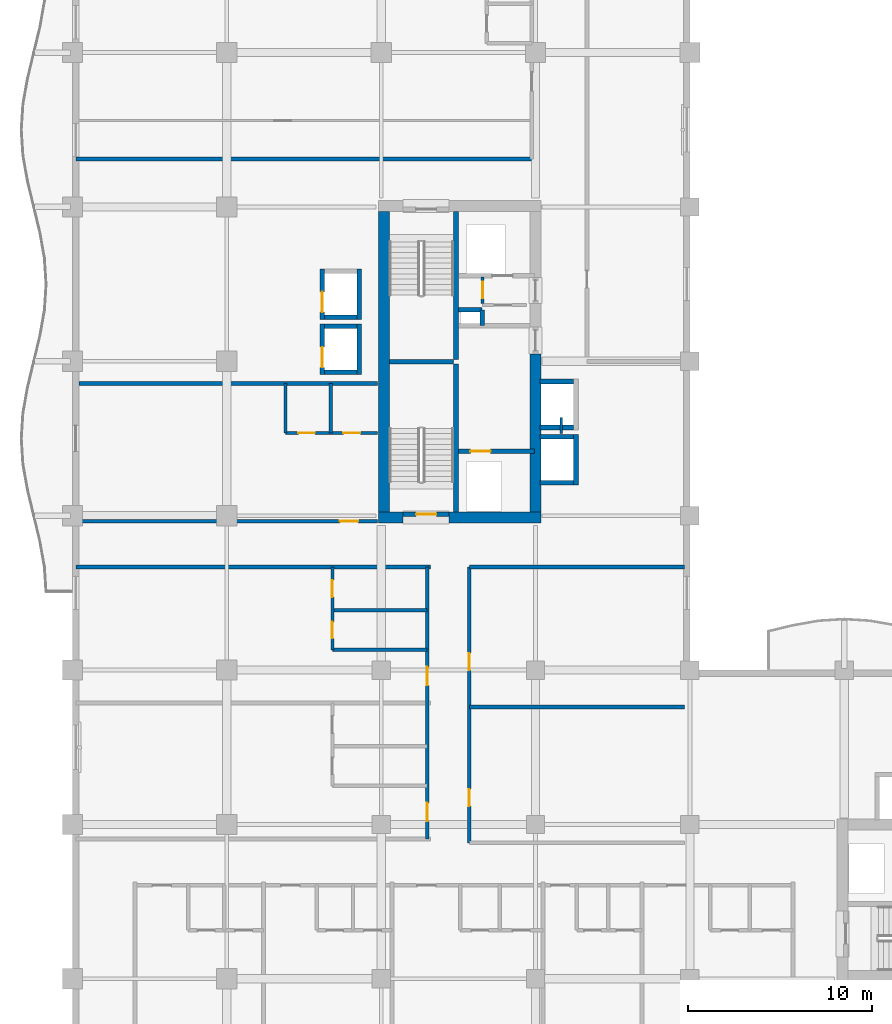
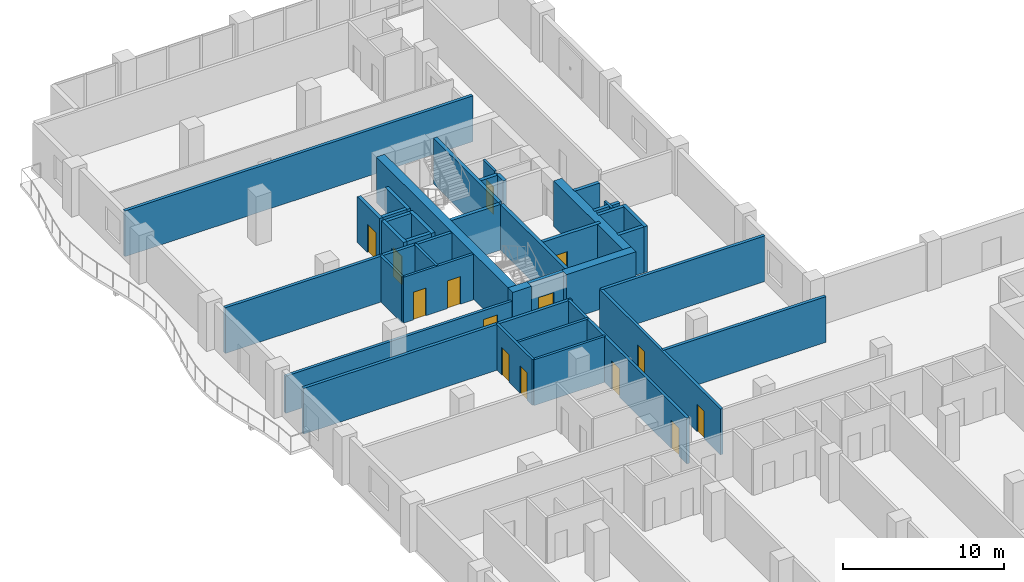
# One storey, part 10 of 19: 39 walls, 14 doors, 14 openings.
"""IFC4 building model written with IfcOpenShell, lengths in metres."""

from ifc_helpers import new_model, si_unit, direction, frame, frame_2d, origin, place, context, subcontext, project, spatial, rectangle, extrude, material, layer, layer_set, type_object, element, fill, save


model = new_model("IFC4")

# Units and contexts
model_context = context("Model", 3, precision=1e-05, world=origin(), true_north=direction((0.0, 1.0)))
body_context = subcontext(model_context, "Body", "Model", "MODEL_VIEW")
ifc_project = project(units=[si_unit("LENGTHUNIT", "METRE"), si_unit("AREAUNIT", "SQUARE_METRE"), si_unit("VOLUMEUNIT", "CUBIC_METRE"), si_unit("PLANEANGLEUNIT", "RADIAN"), si_unit("MASSUNIT", "GRAM", prefix="KILO")], contexts=[model_context])

# Site, building, storey
site_placement = place(None, origin())
site = spatial("IfcSite", under=ifc_project, at=site_placement, CompositionType="ELEMENT")
building_placement = place(site_placement, origin())
building = spatial("IfcBuilding", under=site, at=building_placement, Name="Koriwani Terraces Tower", CompositionType="ELEMENT")
storey_placement = place(building_placement, frame((0.0, 0.0, 190.199951171875)))
storey = spatial("IfcBuildingStorey", under=building, at=storey_placement, Name="L46", CompositionType="ELEMENT", Elevation=190.199951171875)

# Walls
ifc_material_1 = material(Name="Concrete C60/75", Category="concrete")
ifc_layer_1 = layer(ifc_material_1, 0.60009765625, Name="Concrete C60/75")
ifc_layer_set_1 = layer_set([ifc_layer_1], Name="Concrete C60/75")
wall_type_1 = type_object("IfcWallType", Name="WALL_CORE_RC_600", PredefinedType="SHEAR", material=ifc_layer_set_1)
wall_1_placement = place(storey_placement, frame((16.64990234375, 41.89990234375, 0.0), z_axis=(0.0, 0.0, 1.0), x_axis=(1.0, 0.0, 0.0)))
element("IfcWall", 1, at=wall_1_placement, inside=storey, type_object=wall_type_1, Name="L46 West Split Core Shear Wall S1", PredefinedType="SHEAR", context=body_context, shape_type="SweptSolid", body=[
    extrude(rectangle(XDim=1.35009765625, YDim=0.60009765625, at=frame_2d((0.675048828125, 0.0))), origin(), (0.0, 0.0, 1.0), 3.469970703125),
])
wall_2_placement = place(storey_placement, frame((20.5, 41.89990234375, 0.0), z_axis=(0.0, 0.0, 1.0), x_axis=(1.0, 0.0, 0.0)))
element("IfcWall", 2, at=wall_2_placement, inside=storey, type_object=wall_type_1, Name="L46 West Split Core Shear Wall S2", PredefinedType="SHEAR", context=body_context, shape_type="SweptSolid", body=[
    extrude(rectangle(XDim=5.0, YDim=0.60009765625, at=frame_2d((2.5, 0.0))), origin(), (0.0, 0.0, 1.0), 3.469970703125),
])
wall_3_placement = place(storey_placement, frame((16.949951171875, 42.199951171875, 0.0), z_axis=(0.0, 0.0, 1.0), x_axis=(0.0, 1.0, 0.0)))
element("IfcWall", 3, at=wall_3_placement, inside=storey, type_object=wall_type_1, Name="L46 West Split Core Shear Wall W1", PredefinedType="SHEAR", context=body_context, shape_type="SweptSolid", body=[
    extrude(rectangle(XDim=16.35009765625, YDim=0.60009765625, at=frame_2d((8.175048828125, 0.0))), origin(), (0.0, 0.0, 1.0), 3.469970703125),
])
wall_4_placement = place(storey_placement, frame((25.199951171875, 42.199951171875, 0.0), z_axis=(0.0, 0.0, 1.0), x_axis=(0.0, 1.0, 0.0)))
element("IfcWall", 4, at=wall_4_placement, inside=storey, type_object=wall_type_1, Name="L46 West Split Core Shear Wall E1", PredefinedType="SHEAR", context=body_context, shape_type="SweptSolid", body=[
    extrude(rectangle(XDim=8.60009765625, YDim=0.60009765625, at=frame_2d((4.300048828125, 0.0))), origin(), (0.0, 0.0, 1.0), 3.469970703125),
])

# Wall, opening, door
ifc_material_2 = material(Name="Autoclaved Cellular Concrete Blockwork", Category="masonry")
ifc_layer_2 = layer(ifc_material_2, 0.199951171875, Name="Autoclaved Cellular Concrete Blockwork")
ifc_layer_set_2 = layer_set([ifc_layer_2], Name="Autoclaved Cellular Concrete Blockwork")
wall_type_2 = type_object("IfcWallType", Name="WALL_CORRIDOR_200", PredefinedType="PARTITIONING", material=ifc_layer_set_2)
wall_5_placement = place(storey_placement, frame((0.35009765625, 41.699951171875, 0.0), z_axis=(0.0, 0.0, 1.0), x_axis=(1.0, 0.0, 0.0)))
wall_5 = element("IfcWall", 5, at=wall_5_placement, inside=storey, type_object=wall_type_2, Name="L46 Interior Wall WREC-WS-L46", PredefinedType="PARTITIONING", context=body_context, shape_type="SweptSolid", body=[
    extrude(rectangle(XDim=16.25, YDim=0.199951171875, at=frame_2d((8.125, 0.0))), origin(), (0.0, 0.0, 1.0), 2.820068359375),
])
opening_1_placement = place(wall_5_placement, frame((14.199951171875, 0.0, 0.0)))
opening_1 = element("IfcOpeningElement", 6, at=opening_1_placement, cuts=wall_5, Name="Opening D-05", PredefinedType="OPENING", context=body_context, shape_type="SweptSolid", body=[
    extrude(rectangle(XDim=1.0, YDim=2.14990234375, at=frame_2d((0.5, 1.074951171875))), frame((0.0, 0.10986328125, 0.0), z_axis=(0.0, -1.0, 0.0), x_axis=(1.0, 0.0, 0.0)), (0.0, 0.0, 1.0), 0.219970703125),
])
ifc_material_3 = material(Name="Architectural Oak Fire Door", Category="wood")
door_type_1 = type_object("IfcDoorType", Name="DOOR_SUITE_ENTRY_1000X2150", OperationType="NOTDEFINED", PredefinedType="DOOR", material=ifc_material_3)
door_1_placement = place(opening_1_placement, origin())
door_1 = element("IfcDoor", 7, at=door_1_placement, inside=storey, type_object=door_type_1, Name="L46 Reclaimed West Suite Door", OperationType="SINGLE_SWING_RIGHT", OverallHeight=2.14990234375, OverallWidth=1.0, PredefinedType="DOOR", context=body_context, shape_type="SweptSolid", body=[
    extrude(rectangle(XDim=1.0, YDim=2.14990234375, at=frame_2d((0.5, 1.074951171875))), frame((0.0, 0.02490234375, 0.0), z_axis=(0.0, -1.0, 0.0), x_axis=(1.0, 0.0, 0.0)), (0.0, 0.0, 1.0), 0.050048828125),
])
fill(opening_1, door_1)

# Wall, openings, doors
wall_6_placement = place(storey_placement, frame((21.60009765625, 24.199951171875, 0.0), z_axis=(0.0, 0.0, 1.0), x_axis=(0.0, 1.0, 0.0)))
wall_6 = element("IfcWall", 8, at=wall_6_placement, inside=storey, type_object=wall_type_2, Name="L46 Interior Wall WIC2-W-L46", PredefinedType="PARTITIONING", context=body_context, shape_type="SweptSolid", body=[
    extrude(rectangle(XDim=15.0, YDim=0.199951171875, at=frame_2d((7.5, 0.0))), origin(), (0.0, 0.0, 1.0), 3.469970703125),
])
opening_2_placement = place(wall_6_placement, frame((2.0, 0.0, 0.0)))
opening_2 = element("IfcOpeningElement", 9, at=opening_2_placement, cuts=wall_6, Name="Opening D-06", PredefinedType="OPENING", context=body_context, shape_type="SweptSolid", body=[
    extrude(rectangle(XDim=0.919921875, YDim=2.10009765625, at=frame_2d((0.4599609375, 1.050048828125))), frame((0.0, 0.10986328125, 0.0), z_axis=(0.0, -1.0, 0.0), x_axis=(1.0, 0.0, 0.0)), (0.0, 0.0, 1.0), 0.219970703125),
])
opening_3_placement = place(wall_6_placement, frame((9.39990234375, 0.0, 0.0)))
opening_3 = element("IfcOpeningElement", 10, at=opening_3_placement, cuts=wall_6, Name="Opening D-06", PredefinedType="OPENING", context=body_context, shape_type="SweptSolid", body=[
    extrude(rectangle(XDim=0.919921875, YDim=2.10009765625, at=frame_2d((0.4599609375, 1.050048828125))), frame((0.0, 0.10986328125, 0.0), z_axis=(0.0, -1.0, 0.0), x_axis=(1.0, 0.0, 0.0)), (0.0, 0.0, 1.0), 0.219970703125),
])
door_type_2 = type_object("IfcDoorType", Name="DOOR_ROOM_INT_920X2100", OperationType="NOTDEFINED", PredefinedType="DOOR", material=ifc_material_3)
door_2_placement = place(opening_2_placement, origin())
door_2 = element("IfcDoor", 11, at=door_2_placement, inside=storey, type_object=door_type_2, Name="L46 Inner Court Salon Door", OperationType="SINGLE_SWING_RIGHT", OverallHeight=2.10009765625, OverallWidth=0.919921875, PredefinedType="DOOR", context=body_context, shape_type="SweptSolid", body=[
    extrude(rectangle(XDim=0.919921875, YDim=2.10009765625, at=frame_2d((0.4599609375, 1.050048828125))), frame((0.0, 0.02490234375, 0.0), z_axis=(0.0, -1.0, 0.0), x_axis=(1.0, 0.0, 0.0)), (0.0, 0.0, 1.0), 0.050048828125),
])
fill(opening_2, door_2)
door_3_placement = place(opening_3_placement, origin())
door_3 = element("IfcDoor", 12, at=door_3_placement, inside=storey, type_object=door_type_2, Name="L46 Inner Court Media Room Door", OperationType="SINGLE_SWING_LEFT", OverallHeight=2.10009765625, OverallWidth=0.919921875, PredefinedType="DOOR", context=body_context, shape_type="SweptSolid", body=[
    extrude(rectangle(XDim=0.919921875, YDim=2.10009765625, at=frame_2d((0.4599609375, 1.050048828125))), frame((0.0, 0.02490234375, 0.0), z_axis=(0.0, -1.0, 0.0), x_axis=(1.0, 0.0, 0.0)), (0.0, 0.0, 1.0), 0.050048828125),
])
fill(opening_3, door_3)

wall_7_placement = place(storey_placement, frame((19.300048828125, 24.39990234375, 0.0), z_axis=(0.0, 0.0, 1.0), x_axis=(0.0, 1.0, 0.0)))
wall_7 = element("IfcWall", 13, at=wall_7_placement, inside=storey, type_object=wall_type_2, Name="L46 Interior Wall WRCOR-L46-NW-0", PredefinedType="PARTITIONING", context=body_context, shape_type="SweptSolid", body=[
    extrude(rectangle(XDim=14.800048828125, YDim=0.199951171875, at=frame_2d((7.39990234375, 0.0))), origin(), (0.0, 0.0, 1.0), 3.469970703125),
])
opening_4_placement = place(wall_7_placement, frame((0.969970703125, 0.0, 0.0)))
opening_4 = element("IfcOpeningElement", 14, at=opening_4_placement, cuts=wall_7, Name="Opening D-05", PredefinedType="OPENING", context=body_context, shape_type="SweptSolid", body=[
    extrude(rectangle(XDim=1.0, YDim=2.14990234375, at=frame_2d((0.5, 1.074951171875))), frame((0.0, 0.10986328125, 0.0), z_axis=(0.0, -1.0, 0.0), x_axis=(1.0, 0.0, 0.0)), (0.0, 0.0, 1.0), 0.219970703125),
])
opening_5_placement = place(wall_7_placement, frame((8.3701171875, 0.0, 0.0)))
opening_5 = element("IfcOpeningElement", 15, at=opening_5_placement, cuts=wall_7, Name="Opening D-05", PredefinedType="OPENING", context=body_context, shape_type="SweptSolid", body=[
    extrude(rectangle(XDim=1.0, YDim=2.14990234375, at=frame_2d((0.5, 1.074951171875))), frame((0.0, 0.10986328125, 0.0), z_axis=(0.0, -1.0, 0.0), x_axis=(1.0, 0.0, 0.0)), (0.0, 0.0, 1.0), 0.219970703125),
])
door_4_placement = place(opening_4_placement, origin())
door_4 = element("IfcDoor", 16, at=door_4_placement, inside=storey, type_object=door_type_1, Name="Apartment 46NW1 Entrance Door", OperationType="SINGLE_SWING_LEFT", OverallHeight=2.14990234375, OverallWidth=1.0, PredefinedType="DOOR", context=body_context, shape_type="SweptSolid", body=[
    extrude(rectangle(XDim=1.0, YDim=2.14990234375, at=frame_2d((0.5, 1.074951171875))), frame((0.0, 0.02490234375, 0.0), z_axis=(0.0, -1.0, 0.0), x_axis=(1.0, 0.0, 0.0)), (0.0, 0.0, 1.0), 0.050048828125),
])
fill(opening_4, door_4)
door_5_placement = place(opening_5_placement, origin())
door_5 = element("IfcDoor", 17, at=door_5_placement, inside=storey, type_object=door_type_1, Name="Apartment 46NW2 Entrance Door", OperationType="SINGLE_SWING_RIGHT", OverallHeight=2.14990234375, OverallWidth=1.0, PredefinedType="DOOR", context=body_context, shape_type="SweptSolid", body=[
    extrude(rectangle(XDim=1.0, YDim=2.14990234375, at=frame_2d((0.5, 1.074951171875))), frame((0.0, 0.02490234375, 0.0), z_axis=(0.0, -1.0, 0.0), x_axis=(1.0, 0.0, 0.0)), (0.0, 0.0, 1.0), 0.050048828125),
])
fill(opening_5, door_5)

# Walls
ifc_layer_3 = layer(ifc_material_2, 0.219970703125, Name="Autoclaved Cellular Concrete Blockwork")
ifc_layer_set_3 = layer_set([ifc_layer_3], Name="Autoclaved Cellular Concrete Blockwork")
wall_type_3 = type_object("IfcWallType", Name="WALL_DEMISING_220", PredefinedType="PARTITIONING", material=ifc_layer_set_3)
wall_8_placement = place(storey_placement, frame((0.35009765625, 49.199951171875, 0.0), z_axis=(0.0, 0.0, 1.0), x_axis=(1.0, 0.0, 0.0)))
element("IfcWall", 18, at=wall_8_placement, inside=storey, type_object=wall_type_3, Name="L46 Interior Wall WREC-WN-L46", PredefinedType="PARTITIONING", context=body_context, shape_type="SweptSolid", body=[
    extrude(rectangle(XDim=16.25, YDim=0.219970703125, at=frame_2d((8.125, 0.0))), origin(), (0.0, 0.0, 1.0), 3.469970703125),
])
for number, where, z_axis, x_axis, name in (
    (19, (21.60009765625, 31.60009765625, 0.0), (0.0, 0.0, 1.0), (1.0, 0.0, 0.0), "L46 Interior Wall WIC2-M-L46"),
    (20, (21.60009765625, 39.199951171875, 0.0), (0.0, 0.0, 1.0), (1.0, 0.0, 0.0), "L46 Interior Wall WIC2-N-L46"),
):
    element("IfcWall", number, at=place(storey_placement, frame(where, z_axis=z_axis, x_axis=x_axis)), inside=storey, type_object=wall_type_3, Name=name, PredefinedType="PARTITIONING", context=body_context, shape_type="SweptSolid", body=[
        extrude(rectangle(XDim=11.699951171875, YDim=0.219970703125, at=frame_2d((5.85009765625, 0.0))), origin(), (0.0, 0.0, 1.0), 3.469970703125),
    ])
wall_9_placement = place(storey_placement, frame((0.199951171875, 39.199951171875, 0.0), z_axis=(0.0, 0.0, 1.0), x_axis=(1.0, 0.0, 0.0)))
element("IfcWall", 21, at=wall_9_placement, inside=storey, type_object=wall_type_3, Name="L46 Interior Wall WRDEME-L46-NW", PredefinedType="PARTITIONING", context=body_context, shape_type="SweptSolid", body=[
    extrude(rectangle(XDim=19.280029296875, YDim=0.219970703125, at=frame_2d((9.64013671875, 0.0))), origin(), (0.0, 0.0, 1.0), 3.469970703125),
])
wall_10_placement = place(storey_placement, frame((0.199951171875, 61.39990234375, 0.0), z_axis=(0.0, 0.0, 1.0), x_axis=(1.0, 0.0, 0.0)))
element("IfcWall", 22, at=wall_10_placement, inside=storey, type_object=wall_type_3, Name="L46 Interior Wall WRDEM-L46-NE-0", PredefinedType="PARTITIONING", context=body_context, shape_type="SweptSolid", body=[
    extrude(rectangle(XDim=24.97998046875, YDim=0.219970703125, at=frame_2d((12.489990234375, 0.0))), origin(), (0.0, 0.0, 1.0), 3.469970703125),
])

# Wall, openings, doors
ifc_material_4 = material(Name="Fire-Rated Acoustic Gypsum Partition", Category="masonry")
ifc_layer_4 = layer(ifc_material_4, 0.179931640625, Name="Fire-Rated Acoustic Gypsum Partition")
ifc_layer_set_4 = layer_set([ifc_layer_4], Name="Fire-Rated Acoustic Gypsum Partition")
wall_type_4 = type_object("IfcWallType", Name="WALL_PLUMBING_180", PredefinedType="PLUMBINGWALL", material=ifc_layer_set_4)
wall_11_placement = place(storey_placement, frame((11.60009765625, 46.5, 0.0), z_axis=(0.0, 0.0, 1.0), x_axis=(1.0, 0.0, 0.0)))
wall_11 = element("IfcWall", 23, at=wall_11_placement, inside=storey, type_object=wall_type_4, Name="L46 Interior Wall WREC-WBB-L46", PredefinedType="PLUMBINGWALL", context=body_context, shape_type="SweptSolid", body=[
    extrude(rectangle(XDim=5.0, YDim=0.179931640625, at=frame_2d((2.5, 0.0))), origin(), (0.0, 0.0, 1.0), 3.469970703125),
])
opening_6_placement = place(wall_11_placement, frame((0.699951171875, 0.0, 0.0)))
opening_6 = element("IfcOpeningElement", 24, at=opening_6_placement, cuts=wall_11, Name="Opening D-07", PredefinedType="OPENING", context=body_context, shape_type="SweptSolid", body=[
    extrude(rectangle(XDim=0.89990234375, YDim=2.10009765625, at=frame_2d((0.449951171875, 1.050048828125))), frame((0.0, 0.10009765625, 0.0), z_axis=(0.0, -1.0, 0.0), x_axis=(1.0, 0.0, 0.0)), (0.0, 0.0, 1.0), 0.199951171875),
])
opening_7_placement = place(wall_11_placement, frame((3.14990234375, 0.0, 0.0)))
opening_7 = element("IfcOpeningElement", 25, at=opening_7_placement, cuts=wall_11, Name="Opening D-06", PredefinedType="OPENING", context=body_context, shape_type="SweptSolid", body=[
    extrude(rectangle(XDim=0.919921875, YDim=2.10009765625, at=frame_2d((0.4599609375, 1.050048828125))), frame((0.0, 0.10009765625, 0.0), z_axis=(0.0, -1.0, 0.0), x_axis=(1.0, 0.0, 0.0)), (0.0, 0.0, 1.0), 0.199951171875),
])
door_type_3 = type_object("IfcDoorType", Name="DOOR_BATH_INT_900X2100", OperationType="NOTDEFINED", PredefinedType="DOOR", material=ifc_material_3)
door_6_placement = place(opening_6_placement, origin())
door_6 = element("IfcDoor", 26, at=door_6_placement, inside=storey, type_object=door_type_3, Name="Apartment 46RW Bathroom Door", OperationType="SINGLE_SWING_LEFT", OverallHeight=2.10009765625, OverallWidth=0.89990234375, PredefinedType="DOOR", context=body_context, shape_type="SweptSolid", body=[
    extrude(rectangle(XDim=0.89990234375, YDim=2.10009765625, at=frame_2d((0.449951171875, 1.050048828125))), frame((0.0, 0.02490234375, 0.0), z_axis=(0.0, -1.0, 0.0), x_axis=(1.0, 0.0, 0.0)), (0.0, 0.0, 1.0), 0.050048828125),
])
fill(opening_6, door_6)
door_7_placement = place(opening_7_placement, origin())
door_7 = element("IfcDoor", 27, at=door_7_placement, inside=storey, type_object=door_type_2, Name="Apartment 46RW Kitchen Door", OperationType="SINGLE_SWING_RIGHT", OverallHeight=2.10009765625, OverallWidth=0.919921875, PredefinedType="DOOR", context=body_context, shape_type="SweptSolid", body=[
    extrude(rectangle(XDim=0.919921875, YDim=2.10009765625, at=frame_2d((0.4599609375, 1.050048828125))), frame((0.0, 0.02490234375, 0.0), z_axis=(0.0, -1.0, 0.0), x_axis=(1.0, 0.0, 0.0)), (0.0, 0.0, 1.0), 0.050048828125),
])
fill(opening_7, door_7)

# Walls
for number, where, z_axis, x_axis, name in (
    (28, (11.60009765625, 46.5, 0.0), (0.0, 0.0, 1.0), (0.0, 1.0, 0.0), "L46 Interior Wall WREC-WB2-L46"),
    (29, (14.050048828125, 46.5, 0.0), (0.0, 0.0, 1.0), (0.0, 1.0, 0.0), "L46 Interior Wall WREC-WB3-L46"),
):
    element("IfcWall", number, at=place(storey_placement, frame(where, z_axis=z_axis, x_axis=x_axis)), inside=storey, type_object=wall_type_4, Name=name, PredefinedType="PLUMBINGWALL", context=body_context, shape_type="SweptSolid", body=[
        extrude(rectangle(XDim=2.699951171875, YDim=0.179931640625, at=frame_2d((1.35009765625, 0.0))), origin(), (0.0, 0.0, 1.0), 3.469970703125),
    ])

# Wall, openings, doors
wall_12_placement = place(storey_placement, frame((14.14990234375, 34.699951171875, 0.0), z_axis=(0.0, 0.0, 1.0), x_axis=(0.0, 1.0, 0.0)))
wall_12 = element("IfcWall", 30, at=wall_12_placement, inside=storey, type_object=wall_type_4, Name="L46 Interior Wall WRSVC-L46-NW-1", PredefinedType="PLUMBINGWALL", context=body_context, shape_type="SweptSolid", body=[
    extrude(rectangle(XDim=4.5, YDim=0.179931640625, at=frame_2d((2.25, 0.0))), origin(), (0.0, 0.0, 1.0), 3.469970703125),
])
opening_8_placement = place(wall_12_placement, frame((0.6298828125, 0.0, 0.0)))
opening_8 = element("IfcOpeningElement", 31, at=opening_8_placement, cuts=wall_12, Name="Opening D-07", PredefinedType="OPENING", context=body_context, shape_type="SweptSolid", body=[
    extrude(rectangle(XDim=0.89990234375, YDim=2.10009765625, at=frame_2d((0.449951171875, 1.050048828125))), frame((0.0, 0.10009765625, 0.0), z_axis=(0.0, -1.0, 0.0), x_axis=(1.0, 0.0, 0.0)), (0.0, 0.0, 1.0), 0.199951171875),
])
opening_9_placement = place(wall_12_placement, frame((2.8701171875, 0.0, 0.0)))
opening_9 = element("IfcOpeningElement", 32, at=opening_9_placement, cuts=wall_12, Name="Opening D-06", PredefinedType="OPENING", context=body_context, shape_type="SweptSolid", body=[
    extrude(rectangle(XDim=0.919921875, YDim=2.10009765625, at=frame_2d((0.4599609375, 1.050048828125))), frame((0.0, 0.10009765625, 0.0), z_axis=(0.0, -1.0, 0.0), x_axis=(1.0, 0.0, 0.0)), (0.0, 0.0, 1.0), 0.199951171875),
])
door_8_placement = place(opening_8_placement, origin())
door_8 = element("IfcDoor", 33, at=door_8_placement, inside=storey, type_object=door_type_3, Name="Apartment 46NW2 Bathroom Door", OperationType="SINGLE_SWING_LEFT", OverallHeight=2.10009765625, OverallWidth=0.89990234375, PredefinedType="DOOR", context=body_context, shape_type="SweptSolid", body=[
    extrude(rectangle(XDim=0.89990234375, YDim=2.10009765625, at=frame_2d((0.449951171875, 1.050048828125))), frame((0.0, 0.02490234375, 0.0), z_axis=(0.0, -1.0, 0.0), x_axis=(1.0, 0.0, 0.0)), (0.0, 0.0, 1.0), 0.050048828125),
])
fill(opening_8, door_8)
door_9_placement = place(opening_9_placement, origin())
door_9 = element("IfcDoor", 34, at=door_9_placement, inside=storey, type_object=door_type_2, Name="Apartment 46NW2 Kitchen Door", OperationType="SINGLE_SWING_RIGHT", OverallHeight=2.10009765625, OverallWidth=0.919921875, PredefinedType="DOOR", context=body_context, shape_type="SweptSolid", body=[
    extrude(rectangle(XDim=0.919921875, YDim=2.10009765625, at=frame_2d((0.4599609375, 1.050048828125))), frame((0.0, 0.02490234375, 0.0), z_axis=(0.0, -1.0, 0.0), x_axis=(1.0, 0.0, 0.0)), (0.0, 0.0, 1.0), 0.050048828125),
])
fill(opening_9, door_9)

# Walls
for number, where, z_axis, x_axis, name in (
    (35, (14.14990234375, 34.699951171875, 0.0), (0.0, 0.0, 1.0), (1.0, 0.0, 0.0), "L46 Interior Wall WRSVCS-L46-NW-1"),
    (36, (14.14990234375, 36.860107421875, 0.0), (0.0, 0.0, 1.0), (1.0, 0.0, 0.0), "L46 Interior Wall WRSVCM-L46-NW-1"),
):
    element("IfcWall", number, at=place(storey_placement, frame(where, z_axis=z_axis, x_axis=x_axis)), inside=storey, type_object=wall_type_4, Name=name, PredefinedType="PLUMBINGWALL", context=body_context, shape_type="SweptSolid", body=[
        extrude(rectangle(XDim=5.150146484375, YDim=0.179931640625, at=frame_2d((2.5751953125, 0.0))), origin(), (0.0, 0.0, 1.0), 3.469970703125),
    ])
ifc_material_5 = material(Name="Concrete C40/50", Category="concrete")
ifc_layer_5 = layer(ifc_material_5, 0.25, Name="Concrete C40/50")
ifc_layer_set_5 = layer_set([ifc_layer_5], Name="Concrete C40/50")
wall_type_5 = type_object("IfcWallType", Name="WALL_SHAFT_RATED_250", PredefinedType="SOLIDWALL", material=ifc_layer_set_5)
for number, where, z_axis, x_axis, name in (
    (37, (20.875, 42.199951171875, 0.0), (0.0, 0.0, 1.0), (0.0, 1.0, 0.0), "L46 West Split Core Web Wall MID1"),
    (38, (20.875, 50.5, 0.0), (0.0, 0.0, 1.0), (0.0, 1.0, 0.0), "L46 West Split Core Web Wall MID2"),
):
    element("IfcWall", number, at=place(storey_placement, frame(where, z_axis=z_axis, x_axis=x_axis)), inside=storey, type_object=wall_type_5, Name=name, PredefinedType="SOLIDWALL", context=body_context, shape_type="SweptSolid", body=[
        extrude(rectangle(XDim=8.050048828125, YDim=0.25, at=frame_2d((4.02490234375, 0.0))), origin(), (0.0, 0.0, 1.0), 3.469970703125),
    ])
wall_13_placement = place(storey_placement, frame((17.25, 50.375, 0.0), z_axis=(0.0, 0.0, 1.0), x_axis=(1.0, 0.0, 0.0)))
element("IfcWall", 39, at=wall_13_placement, inside=storey, type_object=wall_type_5, Name="L46 West Split Core Stair Dividing Wall", PredefinedType="SOLIDWALL", context=body_context, shape_type="SweptSolid", body=[
    extrude(rectangle(XDim=3.5, YDim=0.25, at=frame_2d((1.75, 0.0))), origin(), (0.0, 0.0, 1.0), 3.469970703125),
])

# Wall, opening, door
wall_14_placement = place(storey_placement, frame((18.0, 42.074951171875, 0.0), z_axis=(0.0, 0.0, 1.0), x_axis=(1.0, 0.0, 0.0)))
wall_14 = element("IfcWall", 40, at=wall_14_placement, inside=storey, type_object=wall_type_5, Name="L46 Interior Wall WIN-CW-L46-STS", PredefinedType="SOLIDWALL", context=body_context, shape_type="SweptSolid", body=[
    extrude(rectangle(XDim=2.5, YDim=0.25, at=frame_2d((1.25, 0.0))), origin(), (0.0, 0.0, 1.0), 3.469970703125),
])
opening_10_placement = place(wall_14_placement, frame((0.699951171875, 0.0, 0.0)))
opening_10 = element("IfcOpeningElement", 41, at=opening_10_placement, cuts=wall_14, Name="Opening D-03", PredefinedType="OPENING", context=body_context, shape_type="SweptSolid", body=[
    extrude(rectangle(XDim=1.10009765625, YDim=2.14990234375, at=frame_2d((0.550048828125, 1.074951171875))), frame((0.0, 0.135009765625, 0.0), z_axis=(0.0, -1.0, 0.0), x_axis=(1.0, 0.0, 0.0)), (0.0, 0.0, 1.0), 0.27001953125),
])
ifc_material_6 = material(Name="Steel ASTM A572 Grade 50", Category="steel")
door_type_4 = type_object("IfcDoorType", Name="DOOR_STAIR_FIRE_1100X2150", OperationType="NOTDEFINED", PredefinedType="DOOR", material=ifc_material_6)
door_10_placement = place(opening_10_placement, origin())
door_10 = element("IfcDoor", 42, at=door_10_placement, inside=storey, type_object=door_type_4, Name="L46 Exit Stair ST-W1 Door", OperationType="SINGLE_SWING_RIGHT", OverallHeight=2.14990234375, OverallWidth=1.10009765625, PredefinedType="DOOR", context=body_context, shape_type="SweptSolid", body=[
    extrude(rectangle(XDim=1.10009765625, YDim=2.14990234375, at=frame_2d((0.550048828125, 1.074951171875))), frame((0.0, 0.02490234375, 0.0), z_axis=(0.0, -1.0, 0.0), x_axis=(1.0, 0.0, 0.0)), (0.0, 0.0, 1.0), 0.050048828125),
])
fill(opening_10, door_10)

wall_15_placement = place(storey_placement, frame((21.0, 45.5, 0.0), z_axis=(0.0, 0.0, 1.0), x_axis=(1.0, 0.0, 0.0)))
wall_15 = element("IfcWall", 43, at=wall_15_placement, inside=storey, type_object=wall_type_5, Name="L46 Interior Wall WIN-CW-L46-FE", PredefinedType="SOLIDWALL", context=body_context, shape_type="SweptSolid", body=[
    extrude(rectangle(XDim=4.14990234375, YDim=0.25, at=frame_2d((2.074951171875, 0.0))), origin(), (0.0, 0.0, 1.0), 3.469970703125),
])
opening_11_placement = place(wall_15_placement, frame((0.64990234375, 0.0, 0.0)))
opening_11 = element("IfcOpeningElement", 44, at=opening_11_placement, cuts=wall_15, Name="Opening LD-01", PredefinedType="OPENING", context=body_context, shape_type="SweptSolid", body=[
    extrude(rectangle(XDim=1.10009765625, YDim=2.14990234375, at=frame_2d((0.550048828125, 1.074951171875))), frame((0.0, 0.135009765625, 0.0), z_axis=(0.0, -1.0, 0.0), x_axis=(1.0, 0.0, 0.0)), (0.0, 0.0, 1.0), 0.27001953125),
])
door_type_5 = type_object("IfcDoorType", Name="DOOR_LIFT_LANDING_1100X2200", OperationType="NOTDEFINED", PredefinedType="DOOR", material=ifc_material_6)
door_11_placement = place(opening_11_placement, origin())
door_11 = element("IfcDoor", 45, at=door_11_placement, inside=storey, type_object=door_type_5, Name="L46 Firefighting Lift FE-01 Landing Door", OperationType="SLIDING_TO_LEFT", OverallHeight=2.14990234375, OverallWidth=1.10009765625, PredefinedType="DOOR", context=body_context, shape_type="SweptSolid", body=[
    extrude(rectangle(XDim=1.10009765625, YDim=2.14990234375, at=frame_2d((0.550048828125, 1.074951171875))), frame((0.0, 0.02490234375, 0.0), z_axis=(0.0, -1.0, 0.0), x_axis=(1.0, 0.0, 0.0)), (0.0, 0.0, 1.0), 0.050048828125),
])
fill(opening_11, door_11)

# Walls
wall_16_placement = place(storey_placement, frame((21.0, 53.199951171875, 0.0), z_axis=(0.0, 0.0, 1.0), x_axis=(1.0, 0.0, 0.0)))
element("IfcWall", 46, at=wall_16_placement, inside=storey, type_object=wall_type_5, Name="L46 Interior Wall WIN-CW-L46-RS1", PredefinedType="SOLIDWALL", context=body_context, shape_type="SweptSolid", body=[
    extrude(rectangle(XDim=1.300048828125, YDim=0.25, at=frame_2d((0.64990234375, 0.0))), origin(), (0.0, 0.0, 1.0), 3.469970703125),
])
wall_17_placement = place(storey_placement, frame((22.300048828125, 52.360107421875, 0.0), z_axis=(0.0, 0.0, 1.0), x_axis=(0.0, 1.0, 0.0)))
element("IfcWall", 47, at=wall_17_placement, inside=storey, type_object=wall_type_5, Name="L46 Interior Wall WIN-CW-L46-RS2", PredefinedType="SOLIDWALL", context=body_context, shape_type="SweptSolid", body=[
    extrude(rectangle(XDim=0.83984375, YDim=0.25, at=frame_2d((0.419921875, 0.0))), origin(), (0.0, 0.0, 1.0), 3.469970703125),
])

# Wall, opening, door
wall_18_placement = place(storey_placement, frame((13.60009765625, 49.675048828125, 0.0), z_axis=(0.0, 0.0, 1.0), x_axis=(0.0, 1.0, 0.0)))
wall_18 = element("IfcWall", 48, at=wall_18_placement, inside=storey, type_object=wall_type_5, Name="L46 Interior Wall WIN-LF-PE-M1-L46-F", PredefinedType="SOLIDWALL", context=body_context, shape_type="SweptSolid", body=[
    extrude(rectangle(XDim=2.75, YDim=0.25, at=frame_2d((1.375, 0.0))), origin(), (0.0, 0.0, 1.0), 3.469970703125),
])
opening_12_placement = place(wall_18_placement, frame((0.39990234375, 0.0, 0.0)))
opening_12 = element("IfcOpeningElement", 49, at=opening_12_placement, cuts=wall_18, Name="Opening LD-01", PredefinedType="OPENING", context=body_context, shape_type="SweptSolid", body=[
    extrude(rectangle(XDim=1.10009765625, YDim=2.14990234375, at=frame_2d((0.550048828125, 1.074951171875))), frame((0.0, 0.135009765625, 0.0), z_axis=(0.0, -1.0, 0.0), x_axis=(1.0, 0.0, 0.0)), (0.0, 0.0, 1.0), 0.27001953125),
])
door_12_placement = place(opening_12_placement, origin())
door_12 = element("IfcDoor", 50, at=door_12_placement, inside=storey, type_object=door_type_5, Name="L46 Passenger Lift PE-M1 Landing Door", OperationType="SLIDING_TO_LEFT", OverallHeight=2.14990234375, OverallWidth=1.10009765625, PredefinedType="DOOR", context=body_context, shape_type="SweptSolid", body=[
    extrude(rectangle(XDim=1.10009765625, YDim=2.14990234375, at=frame_2d((0.550048828125, 1.074951171875))), frame((0.0, 0.02490234375, 0.0), z_axis=(0.0, -1.0, 0.0), x_axis=(1.0, 0.0, 0.0)), (0.0, 0.0, 1.0), 0.050048828125),
])
fill(opening_12, door_12)

# Walls
wall_19_placement = place(storey_placement, frame((15.60009765625, 49.675048828125, 0.0), z_axis=(0.0, 0.0, 1.0), x_axis=(0.0, 1.0, 0.0)))
element("IfcWall", 51, at=wall_19_placement, inside=storey, type_object=wall_type_5, Name="L46 Interior Wall WIN-LF-PE-M1-L46-B", PredefinedType="SOLIDWALL", context=body_context, shape_type="SweptSolid", body=[
    extrude(rectangle(XDim=2.75, YDim=0.25, at=frame_2d((1.375, 0.0))), origin(), (0.0, 0.0, 1.0), 3.469970703125),
])
for number, where, z_axis, x_axis, name in (
    (52, (13.72509765625, 49.800048828125, 0.0), (0.0, 0.0, 1.0), (1.0, 0.0, 0.0), "L46 Interior Wall WIN-LF-PE-M1-L46-S"),
    (53, (13.72509765625, 52.300048828125, 0.0), (0.0, 0.0, 1.0), (1.0, 0.0, 0.0), "L46 Interior Wall WIN-LF-PE-M1-L46-N"),
):
    element("IfcWall", number, at=place(storey_placement, frame(where, z_axis=z_axis, x_axis=x_axis)), inside=storey, type_object=wall_type_5, Name=name, PredefinedType="SOLIDWALL", context=body_context, shape_type="SweptSolid", body=[
        extrude(rectangle(XDim=1.75, YDim=0.25, at=frame_2d((0.875, 0.0))), origin(), (0.0, 0.0, 1.0), 3.469970703125),
    ])

# Wall, opening, door
wall_20_placement = place(storey_placement, frame((13.60009765625, 52.675048828125, 0.0), z_axis=(0.0, 0.0, 1.0), x_axis=(0.0, 1.0, 0.0)))
wall_20 = element("IfcWall", 54, at=wall_20_placement, inside=storey, type_object=wall_type_5, Name="L46 Interior Wall WIN-LF-PE-M2-L46-F", PredefinedType="SOLIDWALL", context=body_context, shape_type="SweptSolid", body=[
    extrude(rectangle(XDim=2.75, YDim=0.25, at=frame_2d((1.375, 0.0))), origin(), (0.0, 0.0, 1.0), 3.469970703125),
])
opening_13_placement = place(wall_20_placement, frame((0.39990234375, 0.0, 0.0)))
opening_13 = element("IfcOpeningElement", 55, at=opening_13_placement, cuts=wall_20, Name="Opening LD-01", PredefinedType="OPENING", context=body_context, shape_type="SweptSolid", body=[
    extrude(rectangle(XDim=1.10009765625, YDim=2.14990234375, at=frame_2d((0.550048828125, 1.074951171875))), frame((0.0, 0.135009765625, 0.0), z_axis=(0.0, -1.0, 0.0), x_axis=(1.0, 0.0, 0.0)), (0.0, 0.0, 1.0), 0.27001953125),
])
door_13_placement = place(opening_13_placement, origin())
door_13 = element("IfcDoor", 56, at=door_13_placement, inside=storey, type_object=door_type_5, Name="L46 Passenger Lift PE-M2 Landing Door", OperationType="SLIDING_TO_LEFT", OverallHeight=2.14990234375, OverallWidth=1.10009765625, PredefinedType="DOOR", context=body_context, shape_type="SweptSolid", body=[
    extrude(rectangle(XDim=1.10009765625, YDim=2.14990234375, at=frame_2d((0.550048828125, 1.074951171875))), frame((0.0, 0.02490234375, 0.0), z_axis=(0.0, -1.0, 0.0), x_axis=(1.0, 0.0, 0.0)), (0.0, 0.0, 1.0), 0.050048828125),
])
fill(opening_13, door_13)

# Walls
wall_21_placement = place(storey_placement, frame((15.60009765625, 52.675048828125, 0.0), z_axis=(0.0, 0.0, 1.0), x_axis=(0.0, 1.0, 0.0)))
element("IfcWall", 57, at=wall_21_placement, inside=storey, type_object=wall_type_5, Name="L46 Interior Wall WIN-LF-PE-M2-L46-B", PredefinedType="SOLIDWALL", context=body_context, shape_type="SweptSolid", body=[
    extrude(rectangle(XDim=2.75, YDim=0.25, at=frame_2d((1.375, 0.0))), origin(), (0.0, 0.0, 1.0), 3.469970703125),
])
wall_22_placement = place(storey_placement, frame((13.72509765625, 52.800048828125, 0.0), z_axis=(0.0, 0.0, 1.0), x_axis=(1.0, 0.0, 0.0)))
element("IfcWall", 58, at=wall_22_placement, inside=storey, type_object=wall_type_5, Name="L46 Interior Wall WIN-LF-PE-M2-L46-S", PredefinedType="SOLIDWALL", context=body_context, shape_type="SweptSolid", body=[
    extrude(rectangle(XDim=1.75, YDim=0.25, at=frame_2d((0.875, 0.0))), origin(), (0.0, 0.0, 1.0), 3.469970703125),
])
wall_23_placement = place(storey_placement, frame((27.39990234375, 43.675048828125, 0.0), z_axis=(0.0, 0.0, 1.0), x_axis=(0.0, 1.0, 0.0)))
element("IfcWall", 59, at=wall_23_placement, inside=storey, type_object=wall_type_5, Name="L46 Interior Wall WIN-LF-PE-H1-L46-F", PredefinedType="SOLIDWALL", context=body_context, shape_type="SweptSolid", body=[
    extrude(rectangle(XDim=2.75, YDim=0.25, at=frame_2d((1.375, 0.0))), origin(), (0.0, 0.0, 1.0), 3.469970703125),
])
for number, where, z_axis, x_axis, name in (
    (60, (25.449951171875, 43.800048828125, 0.0), (0.0, 0.0, 1.0), (1.0, 0.0, 0.0), "L46 Interior Wall WIN-LF-PE-H1-L46-S"),
    (61, (25.449951171875, 46.300048828125, 0.0), (0.0, 0.0, 1.0), (1.0, 0.0, 0.0), "L46 Interior Wall WIN-LF-PE-H1-L46-N"),
    (62, (25.449951171875, 46.800048828125, 0.0), (0.0, 0.0, 1.0), (1.0, 0.0, 0.0), "L46 Interior Wall WIN-LF-PE-H2-L46-S"),
    (63, (25.449951171875, 49.300048828125, 0.0), (0.0, 0.0, 1.0), (1.0, 0.0, 0.0), "L46 Interior Wall WIN-LF-PE-H2-L46-N"),
):
    element("IfcWall", number, at=place(storey_placement, frame(where, z_axis=z_axis, x_axis=x_axis)), inside=storey, type_object=wall_type_5, Name=name, PredefinedType="SOLIDWALL", context=body_context, shape_type="SweptSolid", body=[
        extrude(rectangle(XDim=1.824951171875, YDim=0.25, at=frame_2d((0.91259765625, 0.0))), origin(), (0.0, 0.0, 1.0), 3.469970703125),
    ])

# Wall, opening, door
ifc_layer_6 = layer(ifc_material_4, 0.159912109375, Name="Fire-Rated Acoustic Gypsum Partition")
ifc_layer_set_6 = layer_set([ifc_layer_6], Name="Fire-Rated Acoustic Gypsum Partition")
wall_type_6 = type_object("IfcWallType", Name="WALL_SUITE_160", PredefinedType="PARTITIONING", material=ifc_layer_set_6)
wall_24_placement = place(storey_placement, frame((22.320068359375, 53.56005859375, 0.0), z_axis=(0.0, 0.0, 1.0), x_axis=(0.0, 1.0, 0.0)))
wall_24 = element("IfcWall", 64, at=wall_24_placement, inside=storey, type_object=wall_type_6, Name="L46 Interior Wall WIN-CW-L46-SV1A", PredefinedType="PARTITIONING", context=body_context, shape_type="SweptSolid", body=[
    extrude(rectangle(XDim=1.43994140625, YDim=0.159912109375, at=frame_2d((0.719970703125, 0.0))), origin(), (0.0, 0.0, 1.0), 3.469970703125),
])
opening_14_placement = place(wall_24_placement, frame((0.260009765625, 0.0, 0.0)))
opening_14 = element("IfcOpeningElement", 65, at=opening_14_placement, cuts=wall_24, Name="Opening D-07", PredefinedType="OPENING", context=body_context, shape_type="SweptSolid", body=[
    extrude(rectangle(XDim=0.89990234375, YDim=2.10009765625, at=frame_2d((0.449951171875, 1.050048828125))), frame((0.0, 0.08984375, 0.0), z_axis=(0.0, -1.0, 0.0), x_axis=(1.0, 0.0, 0.0)), (0.0, 0.0, 1.0), 0.179931640625),
])
door_14_placement = place(opening_14_placement, origin())
door_14 = element("IfcDoor", 66, at=door_14_placement, inside=storey, type_object=door_type_3, Name="L46 West Telecom Room Door", OperationType="SINGLE_SWING_RIGHT", OverallHeight=2.10009765625, OverallWidth=0.89990234375, PredefinedType="DOOR", context=body_context, shape_type="SweptSolid", body=[
    extrude(rectangle(XDim=0.89990234375, YDim=2.10009765625, at=frame_2d((0.449951171875, 1.050048828125))), frame((0.0, 0.02490234375, 0.0), z_axis=(0.0, -1.0, 0.0), x_axis=(1.0, 0.0, 0.0)), (0.0, 0.0, 1.0), 0.050048828125),
])
fill(opening_14, door_14)

# Wall
wall_25_placement = place(storey_placement, frame((26.60009765625, 46.4599609375, 0.0), z_axis=(0.0, 0.0, 1.0), x_axis=(0.0, 1.0, 0.0)))
element("IfcWall", 67, at=wall_25_placement, inside=storey, type_object=wall_type_6, Name="L46 Interior Wall WIN-LF-PEH12-MID-L46", PredefinedType="PARTITIONING", context=body_context, shape_type="SweptSolid", body=[
    extrude(rectangle(XDim=0.880126953125, YDim=0.159912109375, at=frame_2d((0.43994140625, 0.0))), origin(), (0.0, 0.0, 1.0), 3.469970703125),
])

save(model, "model.ifc")
